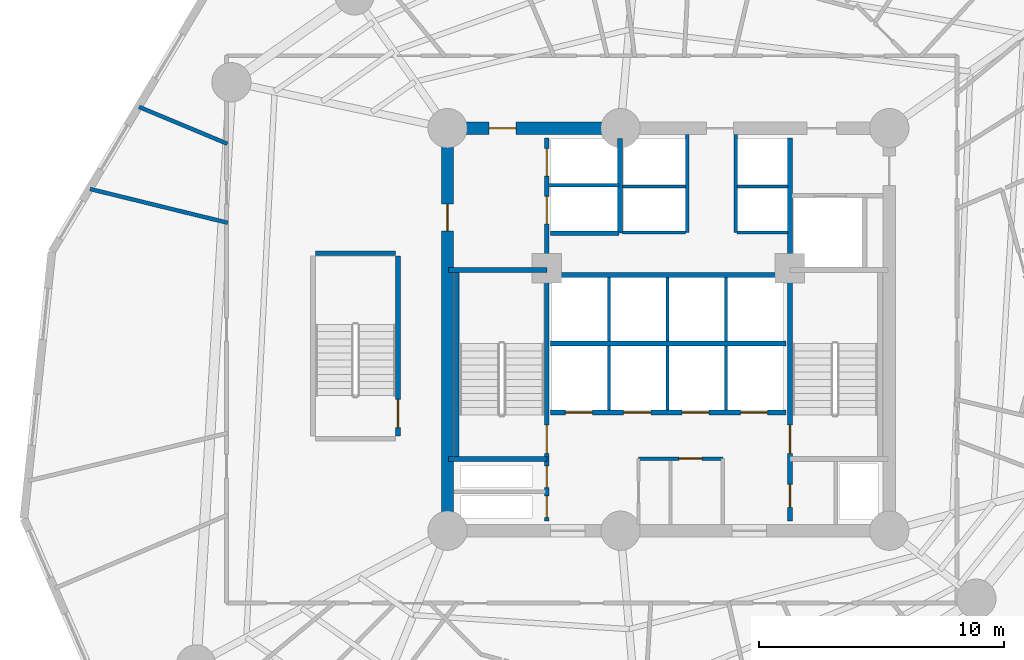
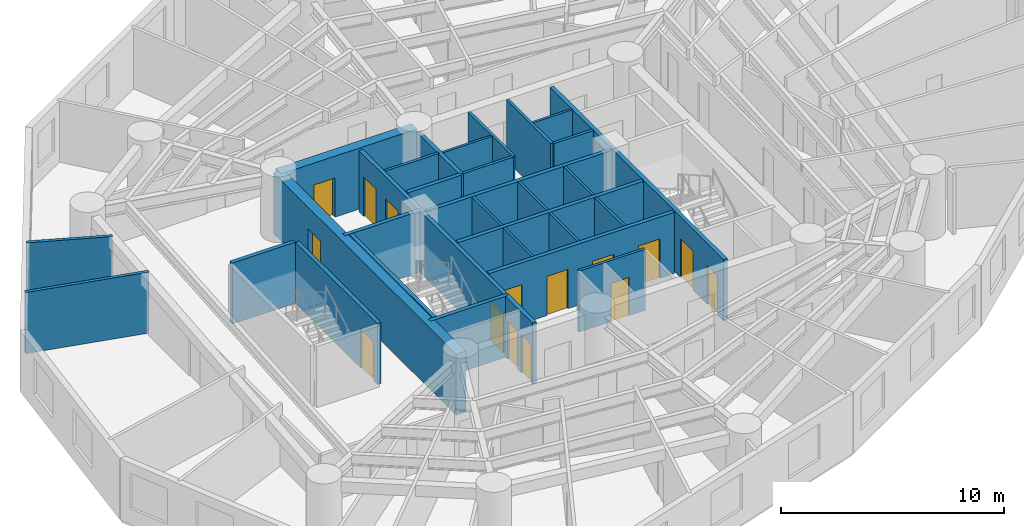
# One storey, part 4 of 8: 30 walls, 15 doors, 15 openings.
"""IFC4 building model written with IfcOpenShell, lengths in metres."""

from ifc_helpers import new_model, si_unit, direction, frame, frame_2d, origin, origin_with_axes, place, context, subcontext, project, spatial, rectangle, extrude, source, transform, mapped, material, layer, layer_set, type_object, element, fill, save


model = new_model("IFC4")

# Units and contexts
model_context = context("Model", 3, precision=1e-05, world=origin(), true_north=direction((0.0, 1.0)))
body_context = subcontext(model_context, "Body", "Model", "MODEL_VIEW")
ifc_project = project(units=[si_unit("LENGTHUNIT", "METRE"), si_unit("AREAUNIT", "SQUARE_METRE"), si_unit("VOLUMEUNIT", "CUBIC_METRE"), si_unit("PLANEANGLEUNIT", "RADIAN"), si_unit("MASSUNIT", "GRAM", prefix="KILO")], contexts=[model_context])

# Site, building, storey
site_placement = place(None, origin())
site = spatial("IfcSite", under=ifc_project, at=site_placement, CompositionType="ELEMENT")
building_placement = place(site_placement, origin())
building = spatial("IfcBuilding", under=site, at=building_placement, Name="Karkom Vertical University and Central Library", CompositionType="ELEMENT")
storey_placement = place(building_placement, frame((0.0, 0.0, 30.10009765625)))
storey = spatial("IfcBuildingStorey", under=building, at=storey_placement, Name="L07", CompositionType="ELEMENT", Elevation=30.10009765625)

# Walls
ifc_material_1 = material(Name="Insulated metal-stud drywall 160mm", Category="gypsum")
ifc_layer_1 = layer(ifc_material_1, 0.159912109375)
ifc_layer_set_1 = layer_set([ifc_layer_1], Name="Insulated metal-stud drywall 160mm")
wall_type_1 = type_object("IfcWallType", Name="INT-WL-COR-160", PredefinedType="PARTITIONING", material=ifc_layer_set_1)
wall_1_placement = place(storey_placement, frame((4.9404296875, 32.219970703125, 0.0), z_axis=(0.0, 0.0, 1.0), x_axis=(0.971188674116, -0.238311894938, 0.0)))
element("IfcWall", 1, at=wall_1_placement, inside=storey, type_object=wall_type_1, Name="Level 07 Interior Partition Wall Level 07-PW-002", PredefinedType="PARTITIONING", context=body_context, shape_type="SweptSolid", body=[
    extrude(rectangle(XDim=5.769775390625, YDim=0.159912109375, at=frame_2d((2.884765625, 0.0))), origin(), (0.0, 0.0, 1.0), 3.349853515625),
])
wall_2_placement = place(storey_placement, frame((10.527587890625, 34.065185546875, 0.0), z_axis=(0.0, 0.0, 1.0), x_axis=(-0.92285968366, 0.385136345046, 0.0)))
element("IfcWall", 2, at=wall_2_placement, inside=storey, type_object=wall_type_1, Name="Level 07 Interior Partition Wall Level 07-PW-049", PredefinedType="PARTITIONING", context=body_context, shape_type="SweptSolid", body=[
    extrude(rectangle(XDim=3.892822265625, YDim=0.159912109375, at=frame_2d((1.9462890625, 0.0))), origin(), (0.0, 0.0, 1.0), 3.349853515625),
])
ifc_material_2 = material(Name="Moisture-resistant drywall 120mm", Category="gypsum")
ifc_layer_2 = layer(ifc_material_2, 0.1201171875)
ifc_layer_set_2 = layer_set([ifc_layer_2], Name="Moisture-resistant drywall 120mm")
wall_type_2 = type_object("IfcWallType", Name="INT-WL-INT-120H", PredefinedType="PARTITIONING", material=ifc_layer_set_2)
for number, where, z_axis, x_axis, name in (
    (3, (26.080078125, 23.219970703125, 0.0), (0.0, 0.0, 1.0), (0.0, 1.0, 0.0), "Level 07 Interior Partition Wall Level 07-CW-PL-DIV1"),
    (4, (28.4599609375, 23.219970703125, 0.0), (0.0, 0.0, 1.0), (0.0, 1.0, 0.0), "Level 07 Interior Partition Wall Level 07-CW-PL-DIV2"),
    (5, (30.840087890625, 23.219970703125, 0.0), (0.0, 0.0, 1.0), (0.0, 1.0, 0.0), "Level 07 Interior Partition Wall Level 07-CW-PL-DIV3"),
    (6, (26.080078125, 26.02001953125, 0.0), (0.0, 0.0, 1.0), (0.0, 1.0, 0.0), "Level 07 Interior Partition Wall Level 07-CW-PM-DIV1"),
    (7, (28.4599609375, 26.02001953125, 0.0), (0.0, 0.0, 1.0), (0.0, 1.0, 0.0), "Level 07 Interior Partition Wall Level 07-CW-PM-DIV2"),
    (8, (30.840087890625, 26.02001953125, 0.0), (0.0, 0.0, 1.0), (0.0, 1.0, 0.0), "Level 07 Interior Partition Wall Level 07-CW-PM-DIV3"),
):
    element("IfcWall", number, at=place(storey_placement, frame(where, z_axis=z_axis, x_axis=x_axis)), inside=storey, type_object=wall_type_2, Name=name, PredefinedType="PARTITIONING", context=body_context, shape_type="SweptSolid", body=[
        extrude(rectangle(XDim=2.60009765625, YDim=0.1201171875, at=frame_2d((1.300048828125, 0.0))), origin(), (0.0, 0.0, 1.0), 3.349853515625),
    ])
wall_3_placement = place(storey_placement, frame((26.6201171875, 32.320068359375, 0.0), z_axis=(0.0, 0.0, 1.0), x_axis=(1.0, 0.0, 0.0)))
element("IfcWall", 9, at=wall_3_placement, inside=storey, type_object=wall_type_2, Name="Level 07 Interior Partition Wall Level 07-CW-PH-MW", PredefinedType="PARTITIONING", context=body_context, shape_type="SweptSolid", body=[
    extrude(rectangle(XDim=2.579833984375, YDim=0.1201171875, at=frame_2d((1.2900390625, 0.0))), origin(), (0.0, 0.0, 1.0), 3.349853515625),
])
wall_4_placement = place(storey_placement, frame((31.300048828125, 32.320068359375, 0.0), z_axis=(0.0, 0.0, 1.0), x_axis=(1.0, 0.0, 0.0)))
element("IfcWall", 10, at=wall_4_placement, inside=storey, type_object=wall_type_2, Name="Level 07 Interior Partition Wall Level 07-CW-PH-ME", PredefinedType="PARTITIONING", context=body_context, shape_type="SweptSolid", body=[
    extrude(rectangle(XDim=2.074951171875, YDim=0.1201171875, at=frame_2d((1.03759765625, 0.0))), origin(), (0.0, 0.0, 1.0), 3.349853515625),
])

# Wall, opening, door
ifc_material_3 = material(Name="Metal-stud gypsum partition 140mm", Category="gypsum")
ifc_layer_3 = layer(ifc_material_3, 0.139892578125)
ifc_layer_set_3 = layer_set([ifc_layer_3], Name="Metal-stud gypsum partition 140mm")
wall_type_3 = type_object("IfcWallType", Name="INT-WL-SUB-140", PredefinedType="PARTITIONING", material=ifc_layer_set_3)
wall_5_placement = place(storey_placement, frame((27.280029296875, 21.239990234375, 0.0), z_axis=(0.0, 0.0, 1.0), x_axis=(1.0, 0.0, 0.0)))
wall_5 = element("IfcWall", 11, at=wall_5_placement, inside=storey, type_object=wall_type_3, Name="Level 07 Interior Partition Wall Level 07-CW-KBAY-N", PredefinedType="PARTITIONING", context=body_context, shape_type="SweptSolid", body=[
    extrude(rectangle(XDim=3.43994140625, YDim=0.139892578125, at=frame_2d((1.719970703125, 0.0))), origin(), (0.0, 0.0, 1.0), 3.349853515625),
])
opening_1_placement = place(wall_5_placement, frame((1.64990234375, 0.0, 0.0)))
opening_1 = element("IfcOpeningElement", 12, at=opening_1_placement, cuts=wall_5, Name="Opening D-WC1", PredefinedType="OPENING", context=body_context, shape_type="SweptSolid", body=[
    extrude(rectangle(XDim=0.93994140625, YDim=2.10009765625, at=frame_2d((0.469970703125, 1.050048828125))), frame((0.0, 0.080078125, 0.0), z_axis=(0.0, -1.0, 0.0), x_axis=(1.0, 0.0, 0.0)), (0.0, 0.0, 1.0), 0.159912109375),
])
ifc_material_4 = material(Name="Fire-rated laminate moisture-resistant door", Category="wood")
door_type_1 = type_object("IfcDoorType", Name="INT-DR-WC1", OperationType="NOTDEFINED", PredefinedType="DOOR", material=ifc_material_4)
shared_shape_1 = source(origin_with_axes(), body_context, "Body", "SweptSolid", [
    extrude(rectangle(XDim=0.93994140625, YDim=2.10009765625, at=frame_2d((0.469970703125, 1.050048828125))), frame((0.0, 0.02490234375, 0.0), z_axis=(0.0, -1.0, 0.0), x_axis=(1.0, 0.0, 0.0)), (0.0, 0.0, 1.0), 0.050048828125),
])
door_1_placement = place(opening_1_placement, origin())
door_1 = element("IfcDoor", 13, at=door_1_placement, inside=storey, type_object=door_type_1, Name="Level 07 Staff WC Door", OperationType="SINGLE_SWING_RIGHT", OverallHeight=2.10009765625, OverallWidth=0.93994140625, PredefinedType="DOOR", context=body_context, shape_type="MappedRepresentation", body=[
    mapped(shared_shape_1, transform((0.0, 0.0, 0.0), scale=1.0)),
])
fill(opening_1, door_1)

# Walls
ifc_layer_4 = layer(ifc_material_3, 0.139892578125)
ifc_layer_set_4 = layer_set([ifc_layer_4], Name="Metal-stud gypsum partition 140mm")
wall_type_4 = type_object("IfcWallType", Name="INT-WL-SUB-140H", PredefinedType="PARTITIONING", material=ifc_layer_set_4)
for number, where, z_axis, x_axis, name in (
    (14, (29.260009765625, 30.449951171875, 0.0), (0.0, 0.0, 1.0), (0.0, 1.0, 0.0), "Level 07 Interior Partition Wall Level 07-CW-PH-W"),
    (15, (31.239990234375, 30.449951171875, 0.0), (0.0, 0.0, 1.0), (0.0, 1.0, 0.0), "Level 07 Interior Partition Wall Level 07-CW-PH-E"),
):
    element("IfcWall", number, at=place(storey_placement, frame(where, z_axis=z_axis, x_axis=x_axis)), inside=storey, type_object=wall_type_4, Name=name, PredefinedType="PARTITIONING", context=body_context, shape_type="SweptSolid", body=[
        extrude(rectangle(XDim=3.9931640625, YDim=0.139892578125, at=frame_2d((1.99658203125, 0.0))), origin(), (0.0, 0.0, 1.0), 3.349853515625),
    ])
wall_6_placement = place(storey_placement, frame((26.6201171875, 30.449951171875, 0.0), z_axis=(0.0, 0.0, 1.0), x_axis=(1.0, 0.0, 0.0)))
element("IfcWall", 16, at=wall_6_placement, inside=storey, type_object=wall_type_4, Name="Level 07 Interior Partition Wall Level 07-CW-PH-S1", PredefinedType="PARTITIONING", context=body_context, shape_type="SweptSolid", body=[
    extrude(rectangle(XDim=2.579833984375, YDim=0.139892578125, at=frame_2d((1.2900390625, 0.0))), origin(), (0.0, 0.0, 1.0), 3.349853515625),
])
wall_7_placement = place(storey_placement, frame((31.300048828125, 30.449951171875, 0.0), z_axis=(0.0, 0.0, 1.0), x_axis=(1.0, 0.0, 0.0)))
element("IfcWall", 17, at=wall_7_placement, inside=storey, type_object=wall_type_4, Name="Level 07 Interior Partition Wall Level 07-CW-PH-S2", PredefinedType="PARTITIONING", context=body_context, shape_type="SweptSolid", body=[
    extrude(rectangle(XDim=2.074951171875, YDim=0.139892578125, at=frame_2d((1.03759765625, 0.0))), origin(), (0.0, 0.0, 1.0), 3.349853515625),
])
ifc_layer_5 = layer(ifc_material_3, 0.139892578125)
ifc_layer_set_5 = layer_set([ifc_layer_5], Name="Metal-stud gypsum partition 140mm")
wall_type_5 = type_object("IfcWallType", Name="INT-WL-SUB-140X", PredefinedType="PARTITIONING", material=ifc_layer_set_5)
wall_8_placement = place(storey_placement, frame((23.652099609375, 32.3701171875, 0.0), z_axis=(0.0, 0.0, 1.0), x_axis=(1.0, 0.0, 0.0)))
element("IfcWall", 18, at=wall_8_placement, inside=storey, type_object=wall_type_5, Name="Level 07 Interior Partition Wall Level 07-CW-FFL-M", PredefinedType="PARTITIONING", context=body_context, shape_type="SweptSolid", body=[
    extrude(rectangle(XDim=2.827880859375, YDim=0.139892578125, at=frame_2d((1.4140625, 0.0))), origin(), (0.0, 0.0, 1.0), 3.349853515625),
])

# Wall, opening, door
ifc_material_5 = material(Name="Concrete C50/60", Category="concrete")
ifc_layer_6 = layer(ifc_material_5, 0.5)
ifc_layer_set_6 = layer_set([ifc_layer_6], Name="Concrete C50/60")
wall_type_6 = type_object("IfcWallType", Name="STR-WL-CW-500", PredefinedType="SHEAR", material=ifc_layer_set_6)
wall_9_placement = place(storey_placement, frame((26.550048828125, 34.699951171875, 0.0), z_axis=(0.0, 0.0, 1.0), x_axis=(-1.0, 0.0, 0.0)))
wall_9 = element("IfcWall", 19, at=wall_9_placement, inside=storey, type_object=wall_type_6, Name="Level 07 Central Core Shear Wall NW2", PredefinedType="SHEAR", context=body_context, shape_type="SweptSolid", body=[
    extrude(rectangle(XDim=7.050048828125, YDim=0.5, at=frame_2d((3.52490234375, 0.0))), origin(), (0.0, 0.0, 1.0), 3.349853515625),
])
opening_2_placement = place(wall_9_placement, frame((4.25, 0.0, 0.0)))
opening_2 = element("IfcOpeningElement", 20, at=opening_2_placement, cuts=wall_9, Name="Opening FD-FFL", PredefinedType="OPENING", context=body_context, shape_type="SweptSolid", body=[
    extrude(rectangle(XDim=1.10009765625, YDim=2.14990234375, at=frame_2d((0.550048828125, 1.074951171875))), frame((0.0, 0.260009765625, 0.0), z_axis=(0.0, -1.0, 0.0), x_axis=(1.0, 0.0, 0.0)), (0.0, 0.0, 1.0), 0.52001953125),
])
ifc_material_6 = material(Name="Painted steel smoke-seal fire door", Category="steel")
door_type_2 = type_object("IfcDoorType", Name="INT-DR-FFL", OperationType="NOTDEFINED", PredefinedType="DOOR", material=ifc_material_6)
shared_shape_2 = source(origin_with_axes(), body_context, "Body", "SweptSolid", [
    extrude(rectangle(XDim=1.10009765625, YDim=2.14990234375, at=frame_2d((0.550048828125, 1.074951171875))), frame((0.0, 0.02490234375, 0.0), z_axis=(0.0, -1.0, 0.0), x_axis=(1.0, 0.0, 0.0)), (0.0, 0.0, 1.0), 0.050048828125),
])
door_2_placement = place(opening_2_placement, origin())
door_2 = element("IfcDoor", 21, at=door_2_placement, inside=storey, type_object=door_type_2, Name="Level 07 Firefighting Lobby Door", OperationType="SINGLE_SWING_RIGHT", OverallHeight=2.14990234375, OverallWidth=1.10009765625, PredefinedType="DOOR", context=body_context, shape_type="MappedRepresentation", body=[
    mapped(shared_shape_2, transform((0.0, 0.0, 0.0), scale=1.0)),
])
fill(opening_2, door_2)

wall_10_placement = place(storey_placement, frame((19.5, 34.699951171875, 0.0), z_axis=(0.0, 0.0, 1.0), x_axis=(0.0, -1.0, 0.0)))
wall_10 = element("IfcWall", 22, at=wall_10_placement, inside=storey, type_object=wall_type_6, Name="Level 07 Central Core Shear Wall WW", PredefinedType="SHEAR", context=body_context, shape_type="SweptSolid", body=[
    extrude(rectangle(XDim=16.39990234375, YDim=0.5, at=frame_2d((8.199951171875, 0.0))), origin(), (0.0, 0.0, 1.0), 3.349853515625),
])
opening_3_placement = place(wall_10_placement, frame((3.10009765625, 0.0, 0.0)))
opening_3 = element("IfcOpeningElement", 23, at=opening_3_placement, cuts=wall_10, Name="Opening FD-FFL", PredefinedType="OPENING", context=body_context, shape_type="SweptSolid", body=[
    extrude(rectangle(XDim=1.10009765625, YDim=2.14990234375, at=frame_2d((0.550048828125, 1.074951171875))), frame((0.0, 0.260009765625, 0.0), z_axis=(0.0, -1.0, 0.0), x_axis=(1.0, 0.0, 0.0)), (0.0, 0.0, 1.0), 0.52001953125),
])
door_3_placement = place(opening_3_placement, origin())
door_3 = element("IfcDoor", 24, at=door_3_placement, inside=storey, type_object=door_type_2, Name="Level 07 West Corridor Firefighting Lobby Door", OperationType="SINGLE_SWING_LEFT", OverallHeight=2.14990234375, OverallWidth=1.10009765625, PredefinedType="DOOR", context=body_context, shape_type="MappedRepresentation", body=[
    mapped(shared_shape_2, transform((0.0, 0.0, 0.0), scale=1.0)),
])
fill(opening_3, door_3)

# Wall, openings, doors
ifc_material_7 = material(Name="Concrete C45/55", Category="concrete")
ifc_layer_7 = layer(ifc_material_7, 0.199951171875)
ifc_layer_set_7 = layer_set([ifc_layer_7], Name="Concrete C45/55")
wall_type_7 = type_object("IfcWallType", Name="STR-WL-ST-200", PredefinedType="SHEAR", material=ifc_layer_set_7)
wall_11_placement = place(storey_placement, frame((23.544921875, 18.699951171875, 0.0), z_axis=(0.0, 0.0, 1.0), x_axis=(0.0, 1.0, 0.0)))
wall_11 = element("IfcWall", 25, at=wall_11_placement, inside=storey, type_object=wall_type_7, Name="Level 07 Core Shaft Wall Level 07-CW-ST1-E", PredefinedType="SHEAR", context=body_context, shape_type="SweptSolid", body=[
    extrude(rectangle(XDim=15.60009765625, YDim=0.199951171875, at=frame_2d((7.800048828125, 0.0))), origin(), (0.0, 0.0, 1.0), 3.349853515625),
])
opening_4_placement = place(wall_11_placement, frame((2.75, 0.0, 0.0)))
opening_4 = element("IfcOpeningElement", 26, at=opening_4_placement, cuts=wall_11, Name="Opening FD-ST1", PredefinedType="OPENING", context=body_context, shape_type="SweptSolid", body=[
    extrude(rectangle(XDim=1.14990234375, YDim=2.14990234375, at=frame_2d((0.574951171875, 1.074951171875))), frame((0.0, 0.10986328125, 0.0), z_axis=(0.0, -1.0, 0.0), x_axis=(1.0, 0.0, 0.0)), (0.0, 0.0, 1.0), 0.219970703125),
])
opening_5_placement = place(wall_11_placement, frame((0.139892578125, 0.0, 0.0)))
opening_5 = element("IfcOpeningElement", 27, at=opening_5_placement, cuts=wall_11, Name="Opening FD-RIS", PredefinedType="OPENING", context=body_context, shape_type="SweptSolid", body=[
    extrude(rectangle(XDim=0.8798828125, YDim=2.10009765625, at=frame_2d((0.43994140625, 1.050048828125))), frame((0.0, 0.10986328125, 0.0), z_axis=(0.0, -1.0, 0.0), x_axis=(1.0, 0.0, 0.0)), (0.0, 0.0, 1.0), 0.219970703125),
])
opening_6_placement = place(wall_11_placement, frame((1.360107421875, 0.0, 0.0)))
opening_6 = element("IfcOpeningElement", 28, at=opening_6_placement, cuts=wall_11, Name="Opening FD-RIS", PredefinedType="OPENING", context=body_context, shape_type="SweptSolid", body=[
    extrude(rectangle(XDim=0.8798828125, YDim=2.10009765625, at=frame_2d((0.43994140625, 1.050048828125))), frame((0.0, 0.10986328125, 0.0), z_axis=(0.0, -1.0, 0.0), x_axis=(1.0, 0.0, 0.0)), (0.0, 0.0, 1.0), 0.219970703125),
])
opening_7_placement = place(wall_11_placement, frame((12.10009765625, 0.0, 0.0)))
opening_7 = element("IfcOpeningElement", 29, at=opening_7_placement, cuts=wall_11, Name="Opening LD-FFL", PredefinedType="OPENING", context=body_context, shape_type="SweptSolid", body=[
    extrude(rectangle(XDim=1.1201171875, YDim=2.14990234375, at=frame_2d((0.56005859375, 1.074951171875))), frame((0.0, 0.10986328125, 0.0), z_axis=(0.0, -1.0, 0.0), x_axis=(1.0, 0.0, 0.0)), (0.0, 0.0, 1.0), 0.219970703125),
])
opening_8_placement = place(wall_11_placement, frame((14.050048828125, 0.0, 0.0)))
opening_8 = element("IfcOpeningElement", 30, at=opening_8_placement, cuts=wall_11, Name="Opening LD-FFL", PredefinedType="OPENING", context=body_context, shape_type="SweptSolid", body=[
    extrude(rectangle(XDim=1.1201171875, YDim=2.14990234375, at=frame_2d((0.56005859375, 1.074951171875))), frame((0.0, 0.10986328125, 0.0), z_axis=(0.0, -1.0, 0.0), x_axis=(1.0, 0.0, 0.0)), (0.0, 0.0, 1.0), 0.219970703125),
])
ifc_material_8 = material(Name="Painted steel acoustic fire door", Category="steel")
door_type_3 = type_object("IfcDoorType", Name="INT-DR-ST1", OperationType="NOTDEFINED", PredefinedType="DOOR", material=ifc_material_8)
shared_shape_3 = source(origin_with_axes(), body_context, "Body", "SweptSolid", [
    extrude(rectangle(XDim=1.14990234375, YDim=2.14990234375, at=frame_2d((0.574951171875, 1.074951171875))), frame((0.0, 0.02490234375, 0.0), z_axis=(0.0, -1.0, 0.0), x_axis=(1.0, 0.0, 0.0)), (0.0, 0.0, 1.0), 0.050048828125),
])
door_4_placement = place(opening_4_placement, origin())
door_4 = element("IfcDoor", 31, at=door_4_placement, inside=storey, type_object=door_type_3, Name="Level 07 Stair ST-1 Fire Door", OperationType="SINGLE_SWING_RIGHT", OverallHeight=2.14990234375, OverallWidth=1.14990234375, PredefinedType="DOOR", context=body_context, shape_type="MappedRepresentation", body=[
    mapped(shared_shape_3, transform((0.0, 0.0, 0.0), scale=1.0)),
])
fill(opening_4, door_4)
ifc_material_9 = material(Name="Painted steel riser access door", Category="steel")
door_type_4 = type_object("IfcDoorType", Name="INT-DR-RIS", OperationType="NOTDEFINED", PredefinedType="DOOR", material=ifc_material_9)
shared_shape_4 = source(origin_with_axes(), body_context, "Body", "SweptSolid", [
    extrude(rectangle(XDim=0.8798828125, YDim=2.10009765625, at=frame_2d((0.43994140625, 1.050048828125))), frame((0.0, 0.02490234375, 0.0), z_axis=(0.0, -1.0, 0.0), x_axis=(1.0, 0.0, 0.0)), (0.0, 0.0, 1.0), 0.050048828125),
])
door_5_placement = place(opening_5_placement, origin())
door_5 = element("IfcDoor", 32, at=door_5_placement, inside=storey, type_object=door_type_4, Name="Level 07 Electrical Riser Access Door", OperationType="SINGLE_SWING_RIGHT", OverallHeight=2.10009765625, OverallWidth=0.8798828125, PredefinedType="DOOR", context=body_context, shape_type="MappedRepresentation", body=[
    mapped(shared_shape_4, transform((0.0, 0.0, 0.0), scale=1.0)),
])
fill(opening_5, door_5)
door_6_placement = place(opening_6_placement, origin())
door_6 = element("IfcDoor", 33, at=door_6_placement, inside=storey, type_object=door_type_4, Name="Level 07 Telecom Riser Access Door", OperationType="SINGLE_SWING_LEFT", OverallHeight=2.10009765625, OverallWidth=0.8798828125, PredefinedType="DOOR", context=body_context, shape_type="MappedRepresentation", body=[
    mapped(shared_shape_4, transform((0.0, 0.0, 0.0), scale=1.0)),
])
fill(opening_6, door_6)
ifc_material_10 = material(Name="Fire-rated stainless-steel landing door", Category="steel")
door_type_5 = type_object("IfcDoorType", Name="INT-DR-LD-FFL", OperationType="SLIDING_TO_LEFT", PredefinedType="DOOR", material=ifc_material_10)
shared_shape_5 = source(origin_with_axes(), body_context, "Body", "SweptSolid", [
    extrude(rectangle(XDim=1.1201171875, YDim=2.14990234375, at=frame_2d((0.56005859375, 1.074951171875))), frame((0.0, 0.02490234375, 0.0), z_axis=(0.0, -1.0, 0.0), x_axis=(1.0, 0.0, 0.0)), (0.0, 0.0, 1.0), 0.050048828125),
])
door_7_placement = place(opening_7_placement, origin())
door_7 = element("IfcDoor", 34, at=door_7_placement, inside=storey, type_object=door_type_5, Name="Level 07 Firefighting Lift FFL-1 Landing Door", OperationType="SLIDING_TO_LEFT", OverallHeight=2.14990234375, OverallWidth=1.1201171875, PredefinedType="DOOR", context=body_context, shape_type="MappedRepresentation", body=[
    mapped(shared_shape_5, transform((0.0, 0.0, 0.0), scale=1.0)),
])
fill(opening_7, door_7)
door_8_placement = place(opening_8_placement, origin())
door_8 = element("IfcDoor", 35, at=door_8_placement, inside=storey, type_object=door_type_5, Name="Level 07 Firefighting Lift FFL-2 Landing Door", OperationType="SLIDING_TO_RIGHT", OverallHeight=2.14990234375, OverallWidth=1.1201171875, PredefinedType="DOOR", context=body_context, shape_type="MappedRepresentation", body=[
    mapped(shared_shape_5, transform((0.0, 0.0, 0.0), scale=1.0)),
])
fill(opening_8, door_8)

wall_12_placement = place(storey_placement, frame((33.455078125, 18.699951171875, 0.0), z_axis=(0.0, 0.0, 1.0), x_axis=(0.0, 1.0, 0.0)))
wall_12 = element("IfcWall", 36, at=wall_12_placement, inside=storey, type_object=wall_type_7, Name="Level 07 Core Shaft Wall Level 07-CW-ST2-W", PredefinedType="SHEAR", context=body_context, shape_type="SweptSolid", body=[
    extrude(rectangle(XDim=15.60009765625, YDim=0.199951171875, at=frame_2d((7.800048828125, 0.0))), origin(), (0.0, 0.0, 1.0), 3.349853515625),
])
opening_9_placement = place(wall_12_placement, frame((2.75, 0.0, 0.0)))
opening_9 = element("IfcOpeningElement", 37, at=opening_9_placement, cuts=wall_12, Name="Opening FD-ST1", PredefinedType="OPENING", context=body_context, shape_type="SweptSolid", body=[
    extrude(rectangle(XDim=1.14990234375, YDim=2.14990234375, at=frame_2d((0.574951171875, 1.074951171875))), frame((0.0, 0.10986328125, 0.0), z_axis=(0.0, -1.0, 0.0), x_axis=(1.0, 0.0, 0.0)), (0.0, 0.0, 1.0), 0.219970703125),
])
opening_10_placement = place(wall_12_placement, frame((0.550048828125, 0.0, 0.0)))
opening_10 = element("IfcOpeningElement", 38, at=opening_10_placement, cuts=wall_12, Name="Opening D-WC1", PredefinedType="OPENING", context=body_context, shape_type="SweptSolid", body=[
    extrude(rectangle(XDim=0.93994140625, YDim=2.10009765625, at=frame_2d((0.469970703125, 1.050048828125))), frame((0.0, 0.10986328125, 0.0), z_axis=(0.0, -1.0, 0.0), x_axis=(1.0, 0.0, 0.0)), (0.0, 0.0, 1.0), 0.219970703125),
])
door_9_placement = place(opening_9_placement, origin())
door_9 = element("IfcDoor", 39, at=door_9_placement, inside=storey, type_object=door_type_3, Name="Level 07 Stair ST-2 Fire Door", OperationType="SINGLE_SWING_LEFT", OverallHeight=2.14990234375, OverallWidth=1.14990234375, PredefinedType="DOOR", context=body_context, shape_type="MappedRepresentation", body=[
    mapped(shared_shape_3, transform((0.0, 0.0, 0.0), scale=1.0)),
])
fill(opening_9, door_9)
door_10_placement = place(opening_10_placement, origin())
door_10 = element("IfcDoor", 40, at=door_10_placement, inside=storey, type_object=door_type_1, Name="Level 07 Accessible WC Door", OperationType="SINGLE_SWING_RIGHT", OverallHeight=2.10009765625, OverallWidth=0.93994140625, PredefinedType="DOOR", context=body_context, shape_type="MappedRepresentation", body=[
    mapped(shared_shape_1, transform((0.0, 0.0, 0.0), scale=1.0)),
])
fill(opening_10, door_10)

wall_13_placement = place(storey_placement, frame((23.699951171875, 23.1201171875, 0.0), z_axis=(0.0, 0.0, 1.0), x_axis=(1.0, 0.0, 0.0)))
wall_13 = element("IfcWall", 41, at=wall_13_placement, inside=storey, type_object=wall_type_7, Name="Level 07 Core Shaft Wall Level 07-CW-B1-S", PredefinedType="SHEAR", context=body_context, shape_type="SweptSolid", body=[
    extrude(rectangle(XDim=9.60009765625, YDim=0.199951171875, at=frame_2d((4.800048828125, 0.0))), origin(), (0.0, 0.0, 1.0), 3.349853515625),
])
opening_11_placement = place(wall_13_placement, frame((0.60009765625, 0.0, 0.0)))
opening_11 = element("IfcOpeningElement", 42, at=opening_11_placement, cuts=wall_13, Name="Opening LD-PAX", PredefinedType="OPENING", context=body_context, shape_type="SweptSolid", body=[
    extrude(rectangle(XDim=1.10009765625, YDim=2.14990234375, at=frame_2d((0.550048828125, 1.074951171875))), frame((0.0, 0.10986328125, 0.0), z_axis=(0.0, -1.0, 0.0), x_axis=(1.0, 0.0, 0.0)), (0.0, 0.0, 1.0), 0.219970703125),
])
opening_12_placement = place(wall_13_placement, frame((2.97998046875, 0.0, 0.0)))
opening_12 = element("IfcOpeningElement", 43, at=opening_12_placement, cuts=wall_13, Name="Opening LD-PAX", PredefinedType="OPENING", context=body_context, shape_type="SweptSolid", body=[
    extrude(rectangle(XDim=1.10009765625, YDim=2.14990234375, at=frame_2d((0.550048828125, 1.074951171875))), frame((0.0, 0.10986328125, 0.0), z_axis=(0.0, -1.0, 0.0), x_axis=(1.0, 0.0, 0.0)), (0.0, 0.0, 1.0), 0.219970703125),
])
opening_13_placement = place(wall_13_placement, frame((5.360107421875, 0.0, 0.0)))
opening_13 = element("IfcOpeningElement", 44, at=opening_13_placement, cuts=wall_13, Name="Opening LD-PAX", PredefinedType="OPENING", context=body_context, shape_type="SweptSolid", body=[
    extrude(rectangle(XDim=1.10009765625, YDim=2.14990234375, at=frame_2d((0.550048828125, 1.074951171875))), frame((0.0, 0.10986328125, 0.0), z_axis=(0.0, -1.0, 0.0), x_axis=(1.0, 0.0, 0.0)), (0.0, 0.0, 1.0), 0.219970703125),
])
opening_14_placement = place(wall_13_placement, frame((7.739990234375, 0.0, 0.0)))
opening_14 = element("IfcOpeningElement", 45, at=opening_14_placement, cuts=wall_13, Name="Opening LD-PAX", PredefinedType="OPENING", context=body_context, shape_type="SweptSolid", body=[
    extrude(rectangle(XDim=1.10009765625, YDim=2.14990234375, at=frame_2d((0.550048828125, 1.074951171875))), frame((0.0, 0.10986328125, 0.0), z_axis=(0.0, -1.0, 0.0), x_axis=(1.0, 0.0, 0.0)), (0.0, 0.0, 1.0), 0.219970703125),
])
ifc_material_11 = material(Name="Brushed stainless-steel landing door", Category="steel")
door_type_6 = type_object("IfcDoorType", Name="INT-DR-LD-PAX", OperationType="SLIDING_TO_LEFT", PredefinedType="DOOR", material=ifc_material_11)
door_11_placement = place(opening_11_placement, origin())
door_11 = element("IfcDoor", 46, at=door_11_placement, inside=storey, type_object=door_type_6, Name="Level 07 Lift PL-1 Landing Door", OperationType="SLIDING_TO_LEFT", OverallHeight=2.14990234375, OverallWidth=1.10009765625, PredefinedType="DOOR", context=body_context, shape_type="MappedRepresentation", body=[
    mapped(shared_shape_2, transform((0.0, 0.0, 0.0), scale=1.0)),
])
fill(opening_11, door_11)
door_12_placement = place(opening_12_placement, origin())
door_12 = element("IfcDoor", 47, at=door_12_placement, inside=storey, type_object=door_type_6, Name="Level 07 Lift PL-2 Landing Door", OperationType="SLIDING_TO_RIGHT", OverallHeight=2.14990234375, OverallWidth=1.10009765625, PredefinedType="DOOR", context=body_context, shape_type="MappedRepresentation", body=[
    mapped(shared_shape_2, transform((0.0, 0.0, 0.0), scale=1.0)),
])
fill(opening_12, door_12)
door_13_placement = place(opening_13_placement, origin())
door_13 = element("IfcDoor", 48, at=door_13_placement, inside=storey, type_object=door_type_6, Name="Level 07 Lift PL-3 Landing Door", OperationType="SLIDING_TO_LEFT", OverallHeight=2.14990234375, OverallWidth=1.10009765625, PredefinedType="DOOR", context=body_context, shape_type="MappedRepresentation", body=[
    mapped(shared_shape_2, transform((0.0, 0.0, 0.0), scale=1.0)),
])
fill(opening_13, door_13)
door_14_placement = place(opening_14_placement, origin())
door_14 = element("IfcDoor", 49, at=door_14_placement, inside=storey, type_object=door_type_6, Name="Level 07 Lift PL-4 Landing Door", OperationType="SLIDING_TO_RIGHT", OverallHeight=2.14990234375, OverallWidth=1.10009765625, PredefinedType="DOOR", context=body_context, shape_type="MappedRepresentation", body=[
    mapped(shared_shape_2, transform((0.0, 0.0, 0.0), scale=1.0)),
])
fill(opening_14, door_14)

# Walls
for number, where, z_axis, x_axis, name in (
    (50, (23.699951171875, 25.919921875, 0.0), (0.0, 0.0, 1.0), (1.0, 0.0, 0.0), "Level 07 Core Shaft Wall Level 07-CW-B1-N"),
    (51, (23.699951171875, 28.719970703125, 0.0), (0.0, 0.0, 1.0), (1.0, 0.0, 0.0), "Level 07 Core Shaft Wall Level 07-CW-B2-N"),
):
    element("IfcWall", number, at=place(storey_placement, frame(where, z_axis=z_axis, x_axis=x_axis)), inside=storey, type_object=wall_type_7, Name=name, PredefinedType="SHEAR", context=body_context, shape_type="SweptSolid", body=[
        extrude(rectangle(XDim=9.60009765625, YDim=0.199951171875, at=frame_2d((4.800048828125, 0.0))), origin(), (0.0, 0.0, 1.0), 3.349853515625),
    ])
wall_14_placement = place(storey_placement, frame((19.875, 21.320068359375, 0.0), z_axis=(0.0, 0.0, 1.0), x_axis=(0.0, 1.0, 0.0)))
element("IfcWall", 52, at=wall_14_placement, inside=storey, type_object=wall_type_7, Name="Level 07 Core Shaft Wall Level 07-CW-ST1-W", PredefinedType="SHEAR", context=body_context, shape_type="SweptSolid", body=[
    extrude(rectangle(XDim=7.5, YDim=0.199951171875, at=frame_2d((3.75, 0.0))), origin(), (0.0, 0.0, 1.0), 3.349853515625),
])

# Wall, opening, door
wall_15_placement = place(storey_placement, frame((17.485107421875, 22.14990234375, 0.0), z_axis=(0.0, 0.0, 1.0), x_axis=(0.0, 1.0, 0.0)))
wall_15 = element("IfcWall", 53, at=wall_15_placement, inside=storey, type_object=wall_type_7, Name="Level 07 Core Shaft Wall Level 07-W-ST3-E", PredefinedType="SHEAR", context=body_context, shape_type="SweptSolid", body=[
    extrude(rectangle(XDim=7.35009765625, YDim=0.199951171875, at=frame_2d((3.675048828125, 0.0))), origin(), (0.0, 0.0, 1.0), 3.349853515625),
])
opening_15_placement = place(wall_15_placement, frame((0.35009765625, 0.0, 0.0)))
opening_15 = element("IfcOpeningElement", 54, at=opening_15_placement, cuts=wall_15, Name="Opening FD-ST1", PredefinedType="OPENING", context=body_context, shape_type="SweptSolid", body=[
    extrude(rectangle(XDim=1.14990234375, YDim=2.14990234375, at=frame_2d((0.574951171875, 1.074951171875))), frame((0.0, 0.10986328125, 0.0), z_axis=(0.0, -1.0, 0.0), x_axis=(1.0, 0.0, 0.0)), (0.0, 0.0, 1.0), 0.219970703125),
])
door_15_placement = place(opening_15_placement, origin())
door_15 = element("IfcDoor", 55, at=door_15_placement, inside=storey, type_object=door_type_3, Name="Level 07 Stair ST-3 Fire Door", OperationType="SINGLE_SWING_RIGHT", OverallHeight=2.14990234375, OverallWidth=1.14990234375, PredefinedType="DOOR", context=body_context, shape_type="MappedRepresentation", body=[
    mapped(shared_shape_3, transform((0.0, 0.0, 0.0), scale=1.0)),
])
fill(opening_15, door_15)

# Walls
for number, where, z_axis, x_axis, name in (
    (56, (19.550048828125, 21.215087890625, 0.0), (0.0, 0.0, 1.0), (1.0, 0.0, 0.0), "Level 07 Core Shaft Wall Level 07-CW-ST1-S"),
    (57, (19.550048828125, 28.925048828125, 0.0), (0.0, 0.0, 1.0), (1.0, 0.0, 0.0), "Level 07 Core Shaft Wall Level 07-CW-ST1-N"),
):
    element("IfcWall", number, at=place(storey_placement, frame(where, z_axis=z_axis, x_axis=x_axis)), inside=storey, type_object=wall_type_7, Name=name, PredefinedType="SHEAR", context=body_context, shape_type="SweptSolid", body=[
        extrude(rectangle(XDim=3.994873046875, YDim=0.199951171875, at=frame_2d((1.99755859375, 0.0))), origin(), (0.0, 0.0, 1.0), 3.349853515625),
    ])
wall_16_placement = place(storey_placement, frame((26.52001953125, 30.419921875, 0.0), z_axis=(0.0, 0.0, 1.0), x_axis=(0.0, 1.0, 0.0)))
element("IfcWall", 58, at=wall_16_placement, inside=storey, type_object=wall_type_7, Name="Level 07 Core Shaft Wall Level 07-CW-FFL-E", PredefinedType="SHEAR", context=body_context, shape_type="SweptSolid", body=[
    extrude(rectangle(XDim=3.860107421875, YDim=0.199951171875, at=frame_2d((1.93017578125, 0.0))), origin(), (0.0, 0.0, 1.0), 3.349853515625),
])
wall_17_placement = place(storey_placement, frame((14.1201171875, 29.60498046875, 0.0), z_axis=(0.0, 0.0, 1.0), x_axis=(1.0, 0.0, 0.0)))
element("IfcWall", 59, at=wall_17_placement, inside=storey, type_object=wall_type_7, Name="Level 07 Core Shaft Wall Level 07-W-ST3-N", PredefinedType="SHEAR", context=body_context, shape_type="SweptSolid", body=[
    extrude(rectangle(XDim=3.259765625, YDim=0.199951171875, at=frame_2d((1.6298828125, 0.0))), origin(), (0.0, 0.0, 1.0), 3.349853515625),
])
wall_18_placement = place(storey_placement, frame((23.699951171875, 30.419921875, 0.0), z_axis=(0.0, 0.0, 1.0), x_axis=(1.0, 0.0, 0.0)))
element("IfcWall", 60, at=wall_18_placement, inside=storey, type_object=wall_type_7, Name="Level 07 Core Shaft Wall Level 07-CW-FFL-S", PredefinedType="SHEAR", context=body_context, shape_type="SweptSolid", body=[
    extrude(rectangle(XDim=2.780029296875, YDim=0.199951171875, at=frame_2d((1.39013671875, 0.0))), origin(), (0.0, 0.0, 1.0), 3.349853515625),
])

save(model, "model.ifc")
